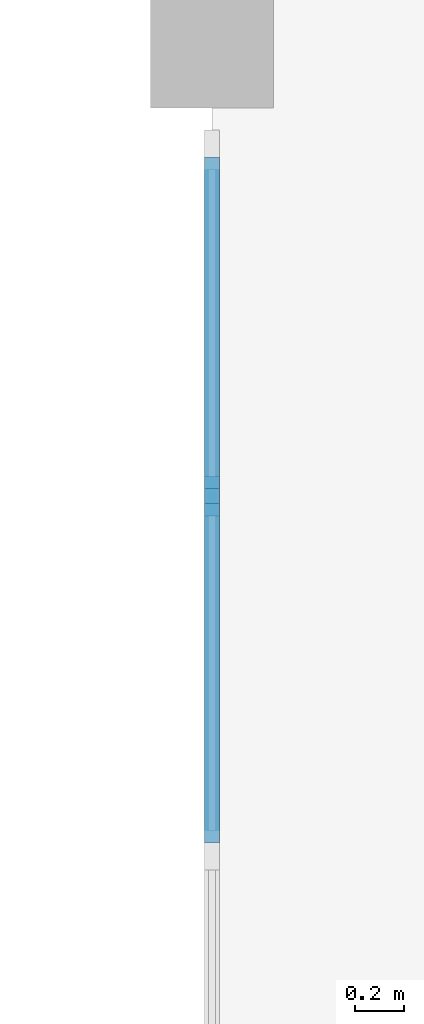
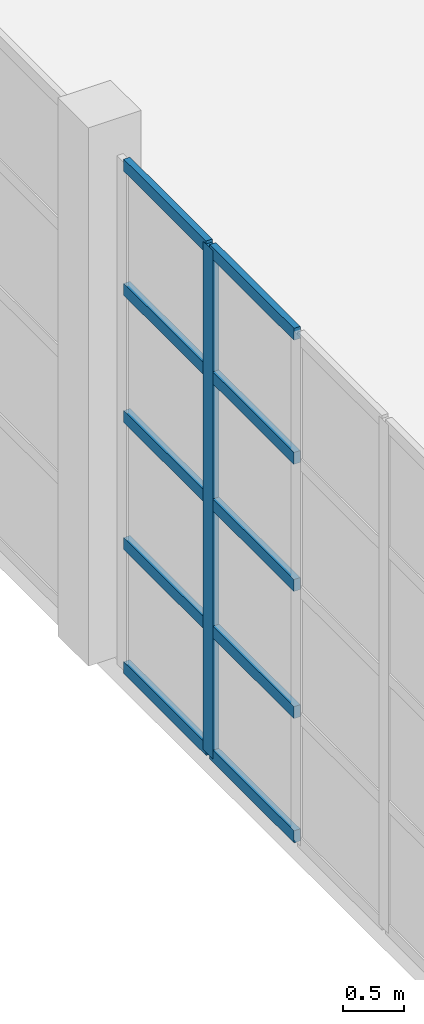
# One storey, part 22 of 82: 11 members, 1 element without a shape of its own.
"""IFC4 building model written with IfcOpenShell, lengths in metres."""

import ifcopenshell
import ifcopenshell.guid

model = None  # the IFC model being written
_history = None  # IfcOwnerHistory: only IFC2X3 demands one
_inside = {}  # id of a spatial element -> (the spatial element, [elements in it])
_under = {}  # id of a project, library or spatial element -> (it, [spatial elements below it])
_declared = {}  # id of a project -> (the project, [libraries it declares])
_typed = {}  # id of a type object -> (the type object, [elements of that type])
_made_of = {}  # id of a material, layer set ... -> (it, [elements and type objects made of it])


def new_model(schema):
    """Start an empty IFC model of exactly this schema.

    Asked for "IFC4X3", IfcOpenShell would pick the latest addendum, in which some entities
    have other attributes; the version numbers below select the first issue.
    IFC2X3 requires an IfcOwnerHistory on every rooted entity: one is made here for all.
    """
    global model, _history
    if schema == "IFC4X3":
        model = ifcopenshell.file(schema_version=(4, 3, 0, 0))
    else:
        model = ifcopenshell.file(schema=schema)
    _inside.clear()
    _under.clear()
    _declared.clear()
    _typed.clear()
    _made_of.clear()
    _history = None
    if model.schema == "IFC2X3":
        org = make("IfcOrganization", Name="unknown")
        user = make(
            "IfcPersonAndOrganization",
            ThePerson=make("IfcPerson", FamilyName="unknown"),
            TheOrganization=org,
        )
        app = make(
            "IfcApplication",
            ApplicationDeveloper=org,
            Version="unknown",
            ApplicationFullName="unknown",
            ApplicationIdentifier="unknown",
        )
        _history = make(
            "IfcOwnerHistory",
            OwningUser=user,
            OwningApplication=app,
            ChangeAction="ADDED",
            CreationDate=0,
        )
    return model


def make(cls, **values):
    """One entity of the class cls with the attributes given. An attribute that is None is left unset."""
    return model.create_entity(
        cls, **{name: value for name, value in values.items() if value is not None}
    )


def rooted(cls, **values):
    """An entity with a GlobalId (a new one), such as an element, a storey or a relation."""
    return make(cls, GlobalId=ifcopenshell.guid.new(), OwnerHistory=_history, **values)


def si_unit(unit_type, name, prefix=None):
    """IfcSIUnit, for example si_unit("LENGTHUNIT", "METRE", prefix="MILLI")."""
    return make("IfcSIUnit", UnitType=unit_type, Prefix=prefix, Name=name)


def assignment(units):
    """IfcUnitAssignment: the units of a project."""
    return None if units is None else make("IfcUnitAssignment", Units=units)


def point(xyz):
    """IfcCartesianPoint."""
    return None if xyz is None else make("IfcCartesianPoint", Coordinates=xyz)


def direction(xyz):
    """IfcDirection."""
    return None if xyz is None else make("IfcDirection", DirectionRatios=xyz)


def frame(location, z_axis=None, x_axis=None):
    """IfcAxis2Placement3D, a coordinate frame: its origin and axes. An axis left out is left unset."""
    return make(
        "IfcAxis2Placement3D",
        Location=point(location),
        Axis=direction(z_axis),
        RefDirection=direction(x_axis),
    )


def frame_2d(location, x_axis=None):
    """IfcAxis2Placement2D, a coordinate frame in the plane: its origin and x axis."""
    return make(
        "IfcAxis2Placement2D", Location=point(location), RefDirection=direction(x_axis)
    )


def origin():
    """The frame at (0, 0, 0) with its axes left unset."""
    return frame((0.0, 0.0, 0.0))


def origin_2d():
    """The frame at (0, 0) in the plane with its x axis left unset."""
    return frame_2d((0.0, 0.0))


def place(relative_to, where):
    """IfcLocalPlacement: puts the frame where relative to a parent placement (None: the world)."""
    return make(
        "IfcLocalPlacement", PlacementRelTo=relative_to, RelativePlacement=where
    )


def context(
    kind, dimensions, precision=None, world=None, true_north=None, identifier=None
):
    """IfcGeometricRepresentationContext, for example the 3D "Model" context."""
    return make(
        "IfcGeometricRepresentationContext",
        ContextIdentifier=identifier,
        ContextType=kind,
        CoordinateSpaceDimension=dimensions,
        Precision=precision,
        WorldCoordinateSystem=world,
        TrueNorth=true_north,
    )


def subcontext(parent, identifier, kind, view, scale=None):
    """IfcGeometricRepresentationSubContext, for example "Body" below "Model"."""
    return make(
        "IfcGeometricRepresentationSubContext",
        ContextIdentifier=identifier,
        ContextType=kind,
        ParentContext=parent,
        TargetScale=scale,
        TargetView=view,
    )


def project(units=None, contexts=None):
    """IfcProject with its units and contexts."""
    return rooted(
        "IfcProject",
        Name="project",
        RepresentationContexts=contexts,
        UnitsInContext=assignment(units),
    )


def spatial(cls, under=None, at=None, **own):
    """A site, building, storey or space (cls), placed at a placement, below another one or the project."""
    s = rooted(cls, ObjectPlacement=at, **own)
    if under is not None:
        _under.setdefault(under.id(), (under, []))[1].append(s)
    return s


def profile(cls, at=None, kind="AREA", **sizes):
    """A parametric profile (cls). Its sizes go by their IFC names, for example OverallWidth=200.0."""
    return make(cls, ProfileType=kind, Position=at, **sizes)


def rectangle(**sizes):
    """IfcRectangleProfileDef."""
    return profile("IfcRectangleProfileDef", **sizes)


def extrude(swept, where, along, depth):
    """IfcExtrudedAreaSolid: the profile swept, set in the frame where, extruded along a direction by depth."""
    return make(
        "IfcExtrudedAreaSolid",
        SweptArea=swept,
        Position=where,
        ExtrudedDirection=direction(along),
        Depth=depth,
    )


def shape(context_of_items, identifier, shape_type, items):
    """IfcShapeRepresentation: the items that make up one representation, for example the "Body"."""
    return make(
        "IfcShapeRepresentation",
        ContextOfItems=context_of_items,
        RepresentationIdentifier=identifier,
        RepresentationType=shape_type,
        Items=items,
    )


def material(Name=None, Category=None):
    """IfcMaterial."""
    return make("IfcMaterial", Name=Name, Category=Category)


def material_profile(
    of_material, cross_section, Name=None, Category=None, Priority=None
):
    """IfcMaterialProfile: a cross section and its material."""
    return make(
        "IfcMaterialProfile",
        Name=Name,
        Material=of_material,
        Profile=cross_section,
        Priority=Priority,
        Category=Category,
    )


def profile_set(profiles, Name=None, composite=None):
    """IfcMaterialProfileSet."""
    return make(
        "IfcMaterialProfileSet",
        Name=Name,
        MaterialProfiles=profiles,
        CompositeProfile=composite,
    )


def made_of(thing, what):
    """Note that an element or type object is made of a material, layer set ...; save() writes the relation."""
    if what is not None:
        _made_of.setdefault(what.id(), (what, []))[1].append(thing)
    return thing


def type_object(cls, material=None, **own):
    """A type object (cls), such as IfcWallType, which elements share."""
    return made_of(rooted(cls, **own), material)


def element(
    cls,
    number,
    at=None,
    inside=None,
    cuts=None,
    type_object=None,
    material=None,
    context=None,
    identifier="Body",
    shape_type=None,
    held_by="IfcProductDefinitionShape",
    body=None,
    shapes=None,
    **own,
):
    """One element of the class cls, such as IfcWall. Its Tag is "e" and its number.

    at: its placement. inside: the storey or other place that contains it. cuts: it is an
    opening in that element (IfcRelVoidsElement). A single representation is given by context,
    identifier, shape_type and body (its items); several are given by shapes. held_by: the class
    of the entity that holds the representations. save() writes the other relations.
    """
    e = rooted(cls, Tag="e%d" % number, ObjectPlacement=at, **own)
    if body is not None:
        shapes = [shape(context, identifier, shape_type, body)]
    if shapes is not None:
        e.Representation = make(held_by, Representations=shapes)
    if inside is not None:
        _inside.setdefault(inside.id(), (inside, []))[1].append(e)
    if cuts is not None:
        rooted(
            "IfcRelVoidsElement", RelatingBuildingElement=cuts, RelatedOpeningElement=e
        )
    if type_object is not None:
        _typed.setdefault(type_object.id(), (type_object, []))[1].append(e)
    return made_of(e, material)


def aggregate(whole, parts):
    """IfcRelAggregates: a whole, such as a stair, and the parts it consists of."""
    return rooted("IfcRelAggregates", RelatingObject=whole, RelatedObjects=parts)


def save(model, path):
    """Write the relations noted so far, then the file.

    IfcRelAggregates (storeys below a building ...), IfcRelContainedInSpatialStructure (elements
    in a storey), IfcRelDefinesByType, IfcRelAssociatesMaterial and IfcRelDeclares: one each for
    every whole, place, type object, material and project.
    """
    for whole, parts in _under.values():
        aggregate(whole, parts)
    for where, things in _inside.values():
        rooted(
            "IfcRelContainedInSpatialStructure",
            RelatedElements=things,
            RelatingStructure=where,
        )
    for kind, things in _typed.values():
        rooted("IfcRelDefinesByType", RelatedObjects=things, RelatingType=kind)
    for what, things in _made_of.values():
        rooted("IfcRelAssociatesMaterial", RelatedObjects=things, RelatingMaterial=what)
    for by, libraries in _declared.values():
        rooted("IfcRelDeclares", RelatingContext=by, RelatedDefinitions=libraries)
    model.write(path)


model = new_model("IFC4")

# Units and contexts
model_context = context("Model", 3, precision=1e-05, world=origin(), true_north=direction((0.0, 1.0)))
body_context = subcontext(model_context, "Body", "Model", "MODEL_VIEW")
ifc_project = project(units=[si_unit("LENGTHUNIT", "METRE"), si_unit("AREAUNIT", "SQUARE_METRE"), si_unit("VOLUMEUNIT", "CUBIC_METRE"), si_unit("PLANEANGLEUNIT", "RADIAN"), si_unit("MASSUNIT", "GRAM", prefix="KILO")], contexts=[model_context])

# Site, building, storey
site_placement = place(None, origin())
site = spatial("IfcSite", under=ifc_project, at=site_placement, CompositionType="ELEMENT")
building_placement = place(site_placement, origin())
building = spatial("IfcBuilding", under=site, at=building_placement, Name="Serraluz Foothill Cableway Terminal", CompositionType="ELEMENT")
storey_placement = place(building_placement, frame((0.0, 0.0, 9.60009765625)))
storey = spatial("IfcBuildingStorey", under=building, at=storey_placement, Name="L02", CompositionType="ELEMENT", Elevation=9.60009765625)

# Curtain wall, members
ifc_material = material(Name="Architectural bronze alloy C28000", Category="aluminium")
curtain_wall_type = type_object("IfcCurtainWallType", Name="TYP-CW-710X420", PredefinedType="NOTDEFINED", material=ifc_material)
curtain_wall_placement = place(storey_placement, origin())
curtain_wall = element("IfcCurtainWall", 1, at=curtain_wall_placement, inside=storey, type_object=curtain_wall_type, Name="Ribbed Glazed Curtain Wall CW-CLW-L02-24", PredefinedType="NOTDEFINED")
ifc_material_profile_1 = material_profile(ifc_material, rectangle(XDim=0.06005859375, YDim=0.159912109375, at=origin_2d()), Name="ALU MULLION 60x160")
ifc_profile_set_1 = profile_set([ifc_material_profile_1], Name="Architectural bronze alloy C28000")
member_type_1 = type_object("IfcMemberType", Name="TYP-CW-MUL-60X160", PredefinedType="MULLION", material=ifc_profile_set_1)
member_1_placement = place(storey_placement, frame((120.0, 30.166015625, 0.0), z_axis=(0.0, 0.0, 1.0), x_axis=(-1.0, 0.0, 0.0)))
member_1 = element("IfcMember", 2, at=member_1_placement, type_object=member_type_1, Name="CW-01 mullion 5", PredefinedType="MULLION", context=body_context, shape_type="SweptSolid", body=[
    extrude(rectangle(XDim=0.06005859375, YDim=0.159912109375, at=origin_2d()), origin(), (0.0, 0.0, 1.0), 5.099853515625),
])
ifc_material_profile_2 = material_profile(ifc_material, rectangle(XDim=0.06005859375, YDim=0.1201171875, at=origin_2d()), Name="ALU TRANSOM 60x120")
ifc_profile_set_2 = profile_set([ifc_material_profile_2], Name="Architectural bronze alloy C28000")
member_type_2 = type_object("IfcMemberType", Name="TYP-CW-TRN-60X120", PredefinedType="USERDEFINED", material=ifc_profile_set_2)
member_2_placement = place(storey_placement, frame((120.0, 28.751953125, 0.02978515625), z_axis=(0.0, 1.0, 0.0), x_axis=(-1.0, 0.0, 0.0)))
member_2 = element("IfcMember", 3, at=member_2_placement, type_object=member_type_2, Name="CW-01 transom 4.1", ObjectType="TRANSOM", PredefinedType="USERDEFINED", context=body_context, shape_type="SweptSolid", body=[
    extrude(rectangle(XDim=0.06005859375, YDim=0.1201171875, at=origin_2d()), origin(), (0.0, 0.0, 1.0), 1.384033203125),
])
member_3_placement = place(storey_placement, frame((120.0, 28.751953125, 1.27490234375), z_axis=(0.0, 1.0, 0.0), x_axis=(-1.0, 0.0, 0.0)))
member_3 = element("IfcMember", 4, at=member_3_placement, type_object=member_type_2, Name="CW-01 transom 4.2", ObjectType="TRANSOM", PredefinedType="USERDEFINED", context=body_context, shape_type="SweptSolid", body=[
    extrude(rectangle(XDim=0.06005859375, YDim=0.1201171875, at=origin_2d()), origin(), (0.0, 0.0, 1.0), 1.384033203125),
])
member_4_placement = place(storey_placement, frame((120.0, 28.751953125, 2.5498046875), z_axis=(0.0, 1.0, 0.0), x_axis=(-1.0, 0.0, 0.0)))
member_4 = element("IfcMember", 5, at=member_4_placement, type_object=member_type_2, Name="CW-01 transom 4.3", ObjectType="TRANSOM", PredefinedType="USERDEFINED", context=body_context, shape_type="SweptSolid", body=[
    extrude(rectangle(XDim=0.06005859375, YDim=0.1201171875, at=origin_2d()), origin(), (0.0, 0.0, 1.0), 1.384033203125),
])
member_5_placement = place(storey_placement, frame((120.0, 28.751953125, 3.824951171875), z_axis=(0.0, 1.0, 0.0), x_axis=(-1.0, 0.0, 0.0)))
member_5 = element("IfcMember", 6, at=member_5_placement, type_object=member_type_2, Name="CW-01 transom 4.4", ObjectType="TRANSOM", PredefinedType="USERDEFINED", context=body_context, shape_type="SweptSolid", body=[
    extrude(rectangle(XDim=0.06005859375, YDim=0.1201171875, at=origin_2d()), origin(), (0.0, 0.0, 1.0), 1.384033203125),
])
member_6_placement = place(storey_placement, frame((120.0, 28.751953125, 5.06982421875), z_axis=(0.0, 1.0, 0.0), x_axis=(-1.0, 0.0, 0.0)))
member_6 = element("IfcMember", 7, at=member_6_placement, type_object=member_type_2, Name="CW-01 transom 4.5", ObjectType="TRANSOM", PredefinedType="USERDEFINED", context=body_context, shape_type="SweptSolid", body=[
    extrude(rectangle(XDim=0.06005859375, YDim=0.1201171875, at=origin_2d()), origin(), (0.0, 0.0, 1.0), 1.384033203125),
])
member_7_placement = place(storey_placement, frame((120.0, 30.196044921875, 0.02978515625), z_axis=(0.0, 1.0, 0.0), x_axis=(-1.0, 0.0, 0.0)))
member_7 = element("IfcMember", 8, at=member_7_placement, type_object=member_type_2, Name="CW-01 transom 5.1", ObjectType="TRANSOM", PredefinedType="USERDEFINED", context=body_context, shape_type="SweptSolid", body=[
    extrude(rectangle(XDim=0.06005859375, YDim=0.1201171875, at=origin_2d()), origin(), (0.0, 0.0, 1.0), 1.35400390625),
])
member_8_placement = place(storey_placement, frame((120.0, 30.196044921875, 1.27490234375), z_axis=(0.0, 1.0, 0.0), x_axis=(-1.0, 0.0, 0.0)))
member_8 = element("IfcMember", 9, at=member_8_placement, type_object=member_type_2, Name="CW-01 transom 5.2", ObjectType="TRANSOM", PredefinedType="USERDEFINED", context=body_context, shape_type="SweptSolid", body=[
    extrude(rectangle(XDim=0.06005859375, YDim=0.1201171875, at=origin_2d()), origin(), (0.0, 0.0, 1.0), 1.35400390625),
])
member_9_placement = place(storey_placement, frame((120.0, 30.196044921875, 2.5498046875), z_axis=(0.0, 1.0, 0.0), x_axis=(-1.0, 0.0, 0.0)))
member_9 = element("IfcMember", 10, at=member_9_placement, type_object=member_type_2, Name="CW-01 transom 5.3", ObjectType="TRANSOM", PredefinedType="USERDEFINED", context=body_context, shape_type="SweptSolid", body=[
    extrude(rectangle(XDim=0.06005859375, YDim=0.1201171875, at=origin_2d()), origin(), (0.0, 0.0, 1.0), 1.35400390625),
])
member_10_placement = place(storey_placement, frame((120.0, 30.196044921875, 3.824951171875), z_axis=(0.0, 1.0, 0.0), x_axis=(-1.0, 0.0, 0.0)))
member_10 = element("IfcMember", 11, at=member_10_placement, type_object=member_type_2, Name="CW-01 transom 5.4", ObjectType="TRANSOM", PredefinedType="USERDEFINED", context=body_context, shape_type="SweptSolid", body=[
    extrude(rectangle(XDim=0.06005859375, YDim=0.1201171875, at=origin_2d()), origin(), (0.0, 0.0, 1.0), 1.35400390625),
])
member_11_placement = place(storey_placement, frame((120.0, 30.196044921875, 5.06982421875), z_axis=(0.0, 1.0, 0.0), x_axis=(-1.0, 0.0, 0.0)))
member_11 = element("IfcMember", 12, at=member_11_placement, type_object=member_type_2, Name="CW-01 transom 5.5", ObjectType="TRANSOM", PredefinedType="USERDEFINED", context=body_context, shape_type="SweptSolid", body=[
    extrude(rectangle(XDim=0.06005859375, YDim=0.1201171875, at=origin_2d()), origin(), (0.0, 0.0, 1.0), 1.35400390625),
])
aggregate(curtain_wall, [member_1, member_2, member_3, member_4, member_5, member_6, member_7, member_8, member_9, member_10, member_11])

save(model, "model.ifc")
